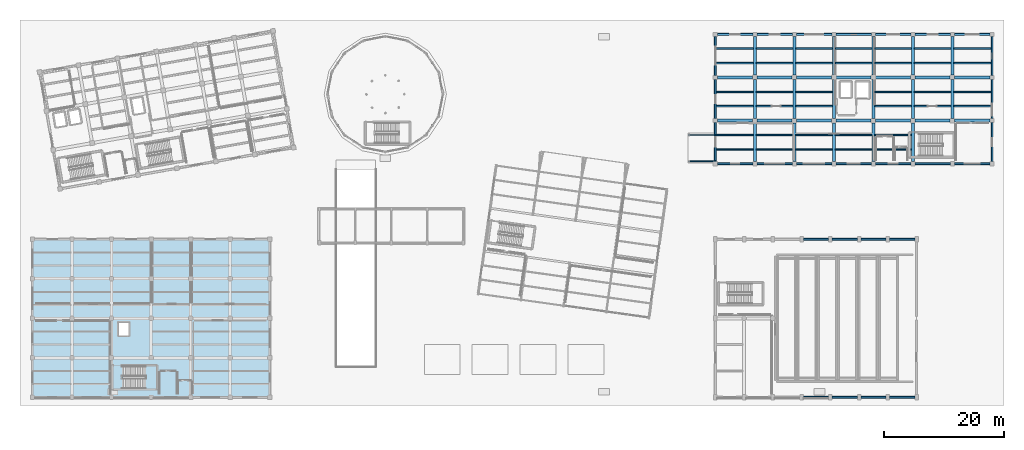
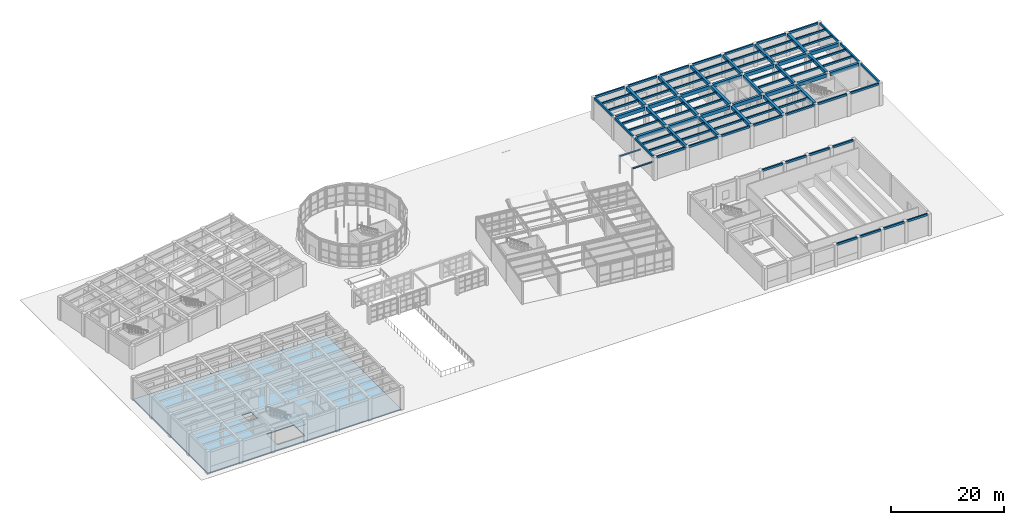
# One storey, part 31 of 57: 97 beams, 2 slabs, 1 element without a shape of its own.
"""IFC4 building model written with IfcOpenShell, lengths in metres."""

from ifc_helpers import new_model, si_unit, direction, frame, origin, origin_2d, place, context, subcontext, project, spatial, polyline, rectangle, i_section, outline, extrude, material, layer, layer_set, material_profile, profile_set, type_object, element, aggregate, save


model = new_model("IFC4")

# Units and contexts
model_context = context("Model", 3, precision=1e-05, world=origin(), true_north=direction((0.0, 1.0)))
body_context = subcontext(model_context, "Body", "Model", "MODEL_VIEW")
ifc_project = project(units=[si_unit("LENGTHUNIT", "METRE"), si_unit("AREAUNIT", "SQUARE_METRE"), si_unit("VOLUMEUNIT", "CUBIC_METRE"), si_unit("PLANEANGLEUNIT", "RADIAN"), si_unit("MASSUNIT", "GRAM", prefix="KILO")], contexts=[model_context])

# Site, building, storey
site_placement = place(None, origin())
site = spatial("IfcSite", under=ifc_project, at=site_placement, CompositionType="ELEMENT")
building_placement = place(site_placement, origin())
building = spatial("IfcBuilding", under=site, at=building_placement, Name="Kharisveld Research Institute", CompositionType="ELEMENT")
storey_placement = place(building_placement, origin())
storey = spatial("IfcBuildingStorey", under=building, at=storey_placement, Name="L00", CompositionType="ELEMENT", Elevation=0.0)

# Beams
ifc_material_1 = material(Name="Concrete C40/50", Category="concrete")
ifc_material_profile_1 = material_profile(ifc_material_1, rectangle(XDim=0.5, YDim=0.64990234375, at=origin_2d()))
ifc_profile_set_1 = profile_set([ifc_material_profile_1], Name="Concrete C40/50")
beam_type_1 = type_object("IfcBeamType", Name="BM_RC_500x650", PredefinedType="BEAM", material=ifc_profile_set_1)
beam_1_placement = place(storey_placement, frame((121.199951171875, 39.550048828125, 4.574951171875), z_axis=(0.0, 1.0, 0.0), x_axis=(-1.0, 0.0, 0.0)))
element("IfcBeam", 1, at=beam_1_placement, inside=storey, type_object=beam_type_1, Name="BM:V2:L00:V1_0", PredefinedType="BEAM", context=body_context, shape_type="SweptSolid", body=[
    extrude(rectangle(XDim=0.5, YDim=0.64990234375, at=origin_2d()), origin(), (0.0, 0.0, 1.0), 6.474853515625),
])
beam_2_placement = place(storey_placement, frame((121.199951171875, 46.77490234375, 4.574951171875), z_axis=(0.0, 1.0, 0.0), x_axis=(-1.0, 0.0, 0.0)))
element("IfcBeam", 2, at=beam_2_placement, inside=storey, type_object=beam_type_1, Name="BM:V2:L00:V1_1", PredefinedType="BEAM", context=body_context, shape_type="SweptSolid", body=[
    extrude(rectangle(XDim=0.5, YDim=0.64990234375, at=origin_2d()), origin(), (0.0, 0.0, 1.0), 6.4501953125),
])
for number, where, z_axis, x_axis, name in (
    (3, (121.199951171875, 53.97509765625, 4.574951171875), (0.0, 1.0, 0.0), (-1.0, 0.0, 0.0), "BM:V2:L00:V1_2"),
    (4, (127.800048828125, 39.550048828125, 4.574951171875), (0.0, 1.0, 0.0), (-1.0, 0.0, 0.0), "BM:V2:L00:V2_0"),
):
    element("IfcBeam", number, at=place(storey_placement, frame(where, z_axis=z_axis, x_axis=x_axis)), inside=storey, type_object=beam_type_1, Name=name, PredefinedType="BEAM", context=body_context, shape_type="SweptSolid", body=[
        extrude(rectangle(XDim=0.5, YDim=0.64990234375, at=origin_2d()), origin(), (0.0, 0.0, 1.0), 6.474853515625),
    ])
beam_3_placement = place(storey_placement, frame((127.800048828125, 46.77490234375, 4.574951171875), z_axis=(0.0, 1.0, 0.0), x_axis=(-1.0, 0.0, 0.0)))
element("IfcBeam", 5, at=beam_3_placement, inside=storey, type_object=beam_type_1, Name="BM:V2:L00:V2_1", PredefinedType="BEAM", context=body_context, shape_type="SweptSolid", body=[
    extrude(rectangle(XDim=0.5, YDim=0.64990234375, at=origin_2d()), origin(), (0.0, 0.0, 1.0), 6.4501953125),
])
for number, where, z_axis, x_axis, name in (
    (6, (127.800048828125, 53.97509765625, 4.574951171875), (0.0, 1.0, 0.0), (-1.0, 0.0, 0.0), "BM:V2:L00:V2_2"),
    (7, (134.39990234375, 39.550048828125, 4.574951171875), (0.0, 1.0, 0.0), (-1.0, 0.0, 0.0), "BM:V2:L00:V3_0"),
):
    element("IfcBeam", number, at=place(storey_placement, frame(where, z_axis=z_axis, x_axis=x_axis)), inside=storey, type_object=beam_type_1, Name=name, PredefinedType="BEAM", context=body_context, shape_type="SweptSolid", body=[
        extrude(rectangle(XDim=0.5, YDim=0.64990234375, at=origin_2d()), origin(), (0.0, 0.0, 1.0), 6.474853515625),
    ])
beam_4_placement = place(storey_placement, frame((134.39990234375, 46.77490234375, 4.574951171875), z_axis=(0.0, 1.0, 0.0), x_axis=(-1.0, 0.0, 0.0)))
element("IfcBeam", 8, at=beam_4_placement, inside=storey, type_object=beam_type_1, Name="BM:V2:L00:V3_1", PredefinedType="BEAM", context=body_context, shape_type="SweptSolid", body=[
    extrude(rectangle(XDim=0.5, YDim=0.64990234375, at=origin_2d()), origin(), (0.0, 0.0, 1.0), 6.4501953125),
])
for number, where, z_axis, x_axis, name in (
    (9, (134.39990234375, 53.97509765625, 4.574951171875), (0.0, 1.0, 0.0), (-1.0, 0.0, 0.0), "BM:V2:L00:V3_2"),
    (10, (141.0, 39.550048828125, 4.574951171875), (0.0, 1.0, 0.0), (-1.0, 0.0, 0.0), "BM:V2:L00:V4_0"),
):
    element("IfcBeam", number, at=place(storey_placement, frame(where, z_axis=z_axis, x_axis=x_axis)), inside=storey, type_object=beam_type_1, Name=name, PredefinedType="BEAM", context=body_context, shape_type="SweptSolid", body=[
        extrude(rectangle(XDim=0.5, YDim=0.64990234375, at=origin_2d()), origin(), (0.0, 0.0, 1.0), 6.474853515625),
    ])
beam_5_placement = place(storey_placement, frame((141.0, 46.77490234375, 4.574951171875), z_axis=(0.0, 1.0, 0.0), x_axis=(-1.0, 0.0, 0.0)))
element("IfcBeam", 11, at=beam_5_placement, inside=storey, type_object=beam_type_1, Name="BM:V2:L00:V4_1", PredefinedType="BEAM", context=body_context, shape_type="SweptSolid", body=[
    extrude(rectangle(XDim=0.5, YDim=0.64990234375, at=origin_2d()), origin(), (0.0, 0.0, 1.0), 6.4501953125),
])
for number, where, z_axis, x_axis, name in (
    (12, (141.0, 53.97509765625, 4.574951171875), (0.0, 1.0, 0.0), (-1.0, 0.0, 0.0), "BM:V2:L00:V4_2"),
    (13, (147.60009765625, 39.550048828125, 4.574951171875), (0.0, 1.0, 0.0), (-1.0, 0.0, 0.0), "BM:V2:L00:V5_0"),
):
    element("IfcBeam", number, at=place(storey_placement, frame(where, z_axis=z_axis, x_axis=x_axis)), inside=storey, type_object=beam_type_1, Name=name, PredefinedType="BEAM", context=body_context, shape_type="SweptSolid", body=[
        extrude(rectangle(XDim=0.5, YDim=0.64990234375, at=origin_2d()), origin(), (0.0, 0.0, 1.0), 6.474853515625),
    ])
beam_6_placement = place(storey_placement, frame((147.60009765625, 46.77490234375, 4.574951171875), z_axis=(0.0, 1.0, 0.0), x_axis=(-1.0, 0.0, 0.0)))
element("IfcBeam", 14, at=beam_6_placement, inside=storey, type_object=beam_type_1, Name="BM:V2:L00:V5_1", PredefinedType="BEAM", context=body_context, shape_type="SweptSolid", body=[
    extrude(rectangle(XDim=0.5, YDim=0.64990234375, at=origin_2d()), origin(), (0.0, 0.0, 1.0), 6.4501953125),
])
beam_7_placement = place(storey_placement, frame((147.60009765625, 53.97509765625, 4.574951171875), z_axis=(0.0, 1.0, 0.0), x_axis=(-1.0, 0.0, 0.0)))
element("IfcBeam", 15, at=beam_7_placement, inside=storey, type_object=beam_type_1, Name="BM:V2:L00:V5_2", PredefinedType="BEAM", context=body_context, shape_type="SweptSolid", body=[
    extrude(rectangle(XDim=0.5, YDim=0.64990234375, at=origin_2d()), origin(), (0.0, 0.0, 1.0), 6.474853515625),
])
beam_8_placement = place(storey_placement, frame((154.199951171875, 46.77490234375, 4.574951171875), z_axis=(0.0, 1.0, 0.0), x_axis=(-1.0, 0.0, 0.0)))
element("IfcBeam", 16, at=beam_8_placement, inside=storey, type_object=beam_type_1, Name="BM:V2:L00:V6_1", PredefinedType="BEAM", context=body_context, shape_type="SweptSolid", body=[
    extrude(rectangle(XDim=0.5, YDim=0.64990234375, at=origin_2d()), origin(), (0.0, 0.0, 1.0), 6.4501953125),
])
beam_9_placement = place(storey_placement, frame((154.199951171875, 53.97509765625, 4.574951171875), z_axis=(0.0, 1.0, 0.0), x_axis=(-1.0, 0.0, 0.0)))
element("IfcBeam", 17, at=beam_9_placement, inside=storey, type_object=beam_type_1, Name="BM:V2:L00:V6_2", PredefinedType="BEAM", context=body_context, shape_type="SweptSolid", body=[
    extrude(rectangle(XDim=0.5, YDim=0.64990234375, at=origin_2d()), origin(), (0.0, 0.0, 1.0), 6.474853515625),
])
ifc_material_2 = material(Name="Concrete C40/50", Category="concrete")
ifc_material_profile_2 = material_profile(ifc_material_2, rectangle(XDim=0.5, YDim=0.75, at=origin_2d()))
ifc_profile_set_2 = profile_set([ifc_material_profile_2], Name="Concrete C40/50")
beam_type_2 = type_object("IfcBeamType", Name="BM_RC_500x750", PredefinedType="BEAM", material=ifc_profile_set_2)
beam_10_placement = place(storey_placement, frame((114.949951171875, 46.39990234375, 4.52490234375), z_axis=(1.0, 0.0, 0.0), x_axis=(0.0, 1.0, 0.0)))
element("IfcBeam", 18, at=beam_10_placement, inside=storey, type_object=beam_type_2, Name="BM:V2:L00:U0_1", PredefinedType="BEAM", context=body_context, shape_type="SweptSolid", body=[
    extrude(rectangle(XDim=0.5, YDim=0.75, at=origin_2d()), origin(), (0.0, 0.0, 1.0), 5.875),
])
beam_11_placement = place(storey_placement, frame((121.574951171875, 46.39990234375, 4.52490234375), z_axis=(1.0, 0.0, 0.0), x_axis=(0.0, 1.0, 0.0)))
element("IfcBeam", 19, at=beam_11_placement, inside=storey, type_object=beam_type_2, Name="BM:V2:L00:U1_1", PredefinedType="BEAM", context=body_context, shape_type="SweptSolid", body=[
    extrude(rectangle(XDim=0.5, YDim=0.75, at=origin_2d()), origin(), (0.0, 0.0, 1.0), 5.85009765625),
])
beam_12_placement = place(storey_placement, frame((128.175048828125, 46.39990234375, 4.52490234375), z_axis=(1.0, 0.0, 0.0), x_axis=(0.0, 1.0, 0.0)))
element("IfcBeam", 20, at=beam_12_placement, inside=storey, type_object=beam_type_2, Name="BM:V2:L00:U2_1", PredefinedType="BEAM", context=body_context, shape_type="SweptSolid", body=[
    extrude(rectangle(XDim=0.5, YDim=0.75, at=origin_2d()), origin(), (0.0, 0.0, 1.0), 5.849853515625),
])
for number, where, z_axis, x_axis, name in (
    (21, (134.77490234375, 46.39990234375, 4.52490234375), (1.0, 0.0, 0.0), (0.0, 1.0, 0.0), "BM:V2:L00:U3_1"),
    (22, (141.375, 46.39990234375, 4.52490234375), (1.0, 0.0, 0.0), (0.0, 1.0, 0.0), "BM:V2:L00:U4_1"),
):
    element("IfcBeam", number, at=place(storey_placement, frame(where, z_axis=z_axis, x_axis=x_axis)), inside=storey, type_object=beam_type_2, Name=name, PredefinedType="BEAM", context=body_context, shape_type="SweptSolid", body=[
        extrude(rectangle(XDim=0.5, YDim=0.75, at=origin_2d()), origin(), (0.0, 0.0, 1.0), 5.85009765625),
    ])
beam_13_placement = place(storey_placement, frame((147.97509765625, 46.39990234375, 4.52490234375), z_axis=(1.0, 0.0, 0.0), x_axis=(0.0, 1.0, 0.0)))
element("IfcBeam", 23, at=beam_13_placement, inside=storey, type_object=beam_type_2, Name="BM:V2:L00:U5_1", PredefinedType="BEAM", context=body_context, shape_type="SweptSolid", body=[
    extrude(rectangle(XDim=0.5, YDim=0.75, at=origin_2d()), origin(), (0.0, 0.0, 1.0), 5.849853515625),
])
for number, where, z_axis, x_axis, name in (
    (24, (154.574951171875, 46.39990234375, 4.52490234375), (1.0, 0.0, 0.0), (0.0, 1.0, 0.0), "BM:V2:L00:U6_1"),
    (25, (114.949951171875, 53.60009765625, 4.52490234375), (1.0, 0.0, 0.0), (0.0, 1.0, 0.0), "BM:V2:L00:U0_2"),
):
    element("IfcBeam", number, at=place(storey_placement, frame(where, z_axis=z_axis, x_axis=x_axis)), inside=storey, type_object=beam_type_2, Name=name, PredefinedType="BEAM", context=body_context, shape_type="SweptSolid", body=[
        extrude(rectangle(XDim=0.5, YDim=0.75, at=origin_2d()), origin(), (0.0, 0.0, 1.0), 5.875),
    ])
beam_14_placement = place(storey_placement, frame((121.574951171875, 53.60009765625, 4.52490234375), z_axis=(1.0, 0.0, 0.0), x_axis=(0.0, 1.0, 0.0)))
element("IfcBeam", 26, at=beam_14_placement, inside=storey, type_object=beam_type_2, Name="BM:V2:L00:U1_2", PredefinedType="BEAM", context=body_context, shape_type="SweptSolid", body=[
    extrude(rectangle(XDim=0.5, YDim=0.75, at=origin_2d()), origin(), (0.0, 0.0, 1.0), 5.85009765625),
])
beam_15_placement = place(storey_placement, frame((128.175048828125, 53.60009765625, 4.52490234375), z_axis=(1.0, 0.0, 0.0), x_axis=(0.0, 1.0, 0.0)))
element("IfcBeam", 27, at=beam_15_placement, inside=storey, type_object=beam_type_2, Name="BM:V2:L00:U2_2", PredefinedType="BEAM", context=body_context, shape_type="SweptSolid", body=[
    extrude(rectangle(XDim=0.5, YDim=0.75, at=origin_2d()), origin(), (0.0, 0.0, 1.0), 5.849853515625),
])
for number, where, z_axis, x_axis, name in (
    (28, (134.77490234375, 53.60009765625, 4.52490234375), (1.0, 0.0, 0.0), (0.0, 1.0, 0.0), "BM:V2:L00:U3_2"),
    (29, (141.375, 53.60009765625, 4.52490234375), (1.0, 0.0, 0.0), (0.0, 1.0, 0.0), "BM:V2:L00:U4_2"),
):
    element("IfcBeam", number, at=place(storey_placement, frame(where, z_axis=z_axis, x_axis=x_axis)), inside=storey, type_object=beam_type_2, Name=name, PredefinedType="BEAM", context=body_context, shape_type="SweptSolid", body=[
        extrude(rectangle(XDim=0.5, YDim=0.75, at=origin_2d()), origin(), (0.0, 0.0, 1.0), 5.85009765625),
    ])
beam_16_placement = place(storey_placement, frame((147.97509765625, 53.60009765625, 4.52490234375), z_axis=(1.0, 0.0, 0.0), x_axis=(0.0, 1.0, 0.0)))
element("IfcBeam", 30, at=beam_16_placement, inside=storey, type_object=beam_type_2, Name="BM:V2:L00:U5_2", PredefinedType="BEAM", context=body_context, shape_type="SweptSolid", body=[
    extrude(rectangle(XDim=0.5, YDim=0.75, at=origin_2d()), origin(), (0.0, 0.0, 1.0), 5.849853515625),
])
beam_17_placement = place(storey_placement, frame((154.574951171875, 53.60009765625, 4.52490234375), z_axis=(1.0, 0.0, 0.0), x_axis=(0.0, 1.0, 0.0)))
element("IfcBeam", 31, at=beam_17_placement, inside=storey, type_object=beam_type_2, Name="BM:V2:L00:U6_2", PredefinedType="BEAM", context=body_context, shape_type="SweptSolid", body=[
    extrude(rectangle(XDim=0.5, YDim=0.75, at=origin_2d()), origin(), (0.0, 0.0, 1.0), 5.875),
])
ifc_material_3 = material(Name="Steel S355JR", Category="steel")
ifc_material_profile_3 = material_profile(ifc_material_3, i_section(OverallWidth=0.14990234375, OverallDepth=0.300048828125, WebThickness=0.007080078125, FlangeThickness=0.0107421875, at=origin_2d()))
ifc_profile_set_3 = profile_set([ifc_material_profile_3], Name="Steel S355JR")
beam_type_3 = type_object("IfcBeamType", Name="BM_ST_IPE300", PredefinedType="BEAM", material=ifc_profile_set_3)
for number, where, z_axis, x_axis, name in (
    (32, (110.199951171875, 39.60009765625, 3.64990234375), (1.0, 0.0, 0.0), (0.0, 1.0, 0.0), "BM:ARC_E:L00:1"),
    (33, (110.199951171875, 44.0, 3.64990234375), (1.0, 0.0, 0.0), (0.0, 1.0, 0.0), "BM:ARC_E:L00:2"),
):
    element("IfcBeam", number, at=place(storey_placement, frame(where, z_axis=z_axis, x_axis=x_axis)), inside=storey, type_object=beam_type_3, Name=name, PredefinedType="BEAM", context=body_context, shape_type="SweptSolid", body=[
        extrude(i_section(OverallWidth=0.14990234375, OverallDepth=0.300048828125, WebThickness=0.007080078125, FlangeThickness=0.0107421875, at=origin_2d()), origin(), (0.0, 0.0, 1.0), 4.400146484375),
    ])
ifc_material_4 = material(Name="Concrete C40/50", Category="concrete")
ifc_material_profile_4 = material_profile(ifc_material_4, rectangle(XDim=0.300048828125, YDim=0.449951171875, at=origin_2d()))
ifc_profile_set_4 = profile_set([ifc_material_profile_4], Name="Concrete C40/50")
beam_type_4 = type_object("IfcBeamType", Name="SP_RC_300x450", PredefinedType="SPANDREL", material=ifc_profile_set_4)
beam_18_placement = place(storey_placement, frame((114.949951171875, 39.199951171875, 4.675048828125), z_axis=(1.0, 0.0, 0.0), x_axis=(0.0, 1.0, 0.0)))
element("IfcBeam", 34, at=beam_18_placement, inside=storey, type_object=beam_type_4, Name="BM:V2:L00:U0_0", PredefinedType="SPANDREL", context=body_context, shape_type="SweptSolid", body=[
    extrude(rectangle(XDim=0.300048828125, YDim=0.449951171875, at=origin_2d()), origin(), (0.0, 0.0, 1.0), 5.900146484375),
])
beam_19_placement = place(storey_placement, frame((121.550048828125, 39.199951171875, 4.675048828125), z_axis=(1.0, 0.0, 0.0), x_axis=(0.0, 1.0, 0.0)))
element("IfcBeam", 35, at=beam_19_placement, inside=storey, type_object=beam_type_4, Name="BM:V2:L00:U1_0", PredefinedType="SPANDREL", context=body_context, shape_type="SweptSolid", body=[
    extrude(rectangle(XDim=0.300048828125, YDim=0.449951171875, at=origin_2d()), origin(), (0.0, 0.0, 1.0), 5.89990234375),
])
beam_20_placement = place(storey_placement, frame((128.14990234375, 39.199951171875, 4.675048828125), z_axis=(1.0, 0.0, 0.0), x_axis=(0.0, 1.0, 0.0)))
element("IfcBeam", 36, at=beam_20_placement, inside=storey, type_object=beam_type_4, Name="BM:V2:L00:U2_0", PredefinedType="SPANDREL", context=body_context, shape_type="SweptSolid", body=[
    extrude(rectangle(XDim=0.300048828125, YDim=0.449951171875, at=origin_2d()), origin(), (0.0, 0.0, 1.0), 5.900146484375),
])
for number, where, z_axis, x_axis, name in (
    (37, (134.75, 39.199951171875, 4.675048828125), (1.0, 0.0, 0.0), (0.0, 1.0, 0.0), "BM:V2:L00:U3_0"),
    (38, (141.35009765625, 39.199951171875, 4.675048828125), (1.0, 0.0, 0.0), (0.0, 1.0, 0.0), "BM:V2:L00:U4_0"),
):
    element("IfcBeam", number, at=place(storey_placement, frame(where, z_axis=z_axis, x_axis=x_axis)), inside=storey, type_object=beam_type_4, Name=name, PredefinedType="SPANDREL", context=body_context, shape_type="SweptSolid", body=[
        extrude(rectangle(XDim=0.300048828125, YDim=0.449951171875, at=origin_2d()), origin(), (0.0, 0.0, 1.0), 5.89990234375),
    ])
beam_21_placement = place(storey_placement, frame((147.949951171875, 39.199951171875, 4.675048828125), z_axis=(1.0, 0.0, 0.0), x_axis=(0.0, 1.0, 0.0)))
element("IfcBeam", 39, at=beam_21_placement, inside=storey, type_object=beam_type_4, Name="BM:V2:L00:U5_0", PredefinedType="SPANDREL", context=body_context, shape_type="SweptSolid", body=[
    extrude(rectangle(XDim=0.300048828125, YDim=0.449951171875, at=origin_2d()), origin(), (0.0, 0.0, 1.0), 5.900146484375),
])
beam_22_placement = place(storey_placement, frame((154.550048828125, 39.199951171875, 4.675048828125), z_axis=(1.0, 0.0, 0.0), x_axis=(0.0, 1.0, 0.0)))
element("IfcBeam", 40, at=beam_22_placement, inside=storey, type_object=beam_type_4, Name="BM:V2:L00:U6_0", PredefinedType="SPANDREL", context=body_context, shape_type="SweptSolid", body=[
    extrude(rectangle(XDim=0.300048828125, YDim=0.449951171875, at=origin_2d()), origin(), (0.0, 0.0, 1.0), 5.89990234375),
])
beam_23_placement = place(storey_placement, frame((114.949951171875, 60.800048828125, 4.675048828125), z_axis=(1.0, 0.0, 0.0), x_axis=(0.0, 1.0, 0.0)))
element("IfcBeam", 41, at=beam_23_placement, inside=storey, type_object=beam_type_4, Name="BM:V2:L00:U0_3", PredefinedType="SPANDREL", context=body_context, shape_type="SweptSolid", body=[
    extrude(rectangle(XDim=0.300048828125, YDim=0.449951171875, at=origin_2d()), origin(), (0.0, 0.0, 1.0), 5.900146484375),
])
beam_24_placement = place(storey_placement, frame((121.550048828125, 60.800048828125, 4.675048828125), z_axis=(1.0, 0.0, 0.0), x_axis=(0.0, 1.0, 0.0)))
element("IfcBeam", 42, at=beam_24_placement, inside=storey, type_object=beam_type_4, Name="BM:V2:L00:U1_3", PredefinedType="SPANDREL", context=body_context, shape_type="SweptSolid", body=[
    extrude(rectangle(XDim=0.300048828125, YDim=0.449951171875, at=origin_2d()), origin(), (0.0, 0.0, 1.0), 5.89990234375),
])
beam_25_placement = place(storey_placement, frame((128.14990234375, 60.800048828125, 4.675048828125), z_axis=(1.0, 0.0, 0.0), x_axis=(0.0, 1.0, 0.0)))
element("IfcBeam", 43, at=beam_25_placement, inside=storey, type_object=beam_type_4, Name="BM:V2:L00:U2_3", PredefinedType="SPANDREL", context=body_context, shape_type="SweptSolid", body=[
    extrude(rectangle(XDim=0.300048828125, YDim=0.449951171875, at=origin_2d()), origin(), (0.0, 0.0, 1.0), 5.900146484375),
])
for number, where, z_axis, x_axis, name in (
    (44, (134.75, 60.800048828125, 4.675048828125), (1.0, 0.0, 0.0), (0.0, 1.0, 0.0), "BM:V2:L00:U3_3"),
    (45, (141.35009765625, 60.800048828125, 4.675048828125), (1.0, 0.0, 0.0), (0.0, 1.0, 0.0), "BM:V2:L00:U4_3"),
):
    element("IfcBeam", number, at=place(storey_placement, frame(where, z_axis=z_axis, x_axis=x_axis)), inside=storey, type_object=beam_type_4, Name=name, PredefinedType="SPANDREL", context=body_context, shape_type="SweptSolid", body=[
        extrude(rectangle(XDim=0.300048828125, YDim=0.449951171875, at=origin_2d()), origin(), (0.0, 0.0, 1.0), 5.89990234375),
    ])
beam_26_placement = place(storey_placement, frame((147.949951171875, 60.800048828125, 4.675048828125), z_axis=(1.0, 0.0, 0.0), x_axis=(0.0, 1.0, 0.0)))
element("IfcBeam", 46, at=beam_26_placement, inside=storey, type_object=beam_type_4, Name="BM:V2:L00:U5_3", PredefinedType="SPANDREL", context=body_context, shape_type="SweptSolid", body=[
    extrude(rectangle(XDim=0.300048828125, YDim=0.449951171875, at=origin_2d()), origin(), (0.0, 0.0, 1.0), 5.900146484375),
])
beam_27_placement = place(storey_placement, frame((154.550048828125, 60.800048828125, 4.675048828125), z_axis=(1.0, 0.0, 0.0), x_axis=(0.0, 1.0, 0.0)))
element("IfcBeam", 47, at=beam_27_placement, inside=storey, type_object=beam_type_4, Name="BM:V2:L00:U6_3", PredefinedType="SPANDREL", context=body_context, shape_type="SweptSolid", body=[
    extrude(rectangle(XDim=0.300048828125, YDim=0.449951171875, at=origin_2d()), origin(), (0.0, 0.0, 1.0), 5.89990234375),
])
for number, where, z_axis, x_axis, name in (
    (48, (114.60009765625, 39.550048828125, 4.675048828125), (0.0, 1.0, 0.0), (-1.0, 0.0, 0.0), "BM:V2:L00:V0_0"),
    (49, (114.60009765625, 46.75, 4.675048828125), (0.0, 1.0, 0.0), (-1.0, 0.0, 0.0), "BM:V2:L00:V0_1"),
    (50, (114.60009765625, 53.949951171875, 4.675048828125), (0.0, 1.0, 0.0), (-1.0, 0.0, 0.0), "BM:V2:L00:V0_2"),
    (51, (160.800048828125, 39.550048828125, 4.675048828125), (0.0, 1.0, 0.0), (-1.0, 0.0, 0.0), "BM:V2:L00:V7_0"),
    (52, (160.800048828125, 46.75, 4.675048828125), (0.0, 1.0, 0.0), (-1.0, 0.0, 0.0), "BM:V2:L00:V7_1"),
    (53, (160.800048828125, 53.949951171875, 4.675048828125), (0.0, 1.0, 0.0), (-1.0, 0.0, 0.0), "BM:V2:L00:V7_2"),
):
    element("IfcBeam", number, at=place(storey_placement, frame(where, z_axis=z_axis, x_axis=x_axis)), inside=storey, type_object=beam_type_4, Name=name, PredefinedType="SPANDREL", context=body_context, shape_type="SweptSolid", body=[
        extrude(rectangle(XDim=0.300048828125, YDim=0.449951171875, at=origin_2d()), origin(), (0.0, 0.0, 1.0), 6.5),
    ])
for number, where, z_axis, x_axis, name in (
    (54, (129.300048828125, 0.199951171875, 4.455078125), (1.0, 0.0, 0.0), (0.0, 1.0, 0.0), "BM:V5:L00:U3_0"),
    (55, (134.10009765625, 0.199951171875, 4.455078125), (1.0, 0.0, 0.0), (0.0, 1.0, 0.0), "BM:V5:L00:U4_0"),
):
    element("IfcBeam", number, at=place(storey_placement, frame(where, z_axis=z_axis, x_axis=x_axis)), inside=storey, type_object=beam_type_4, Name=name, PredefinedType="SPANDREL", context=body_context, shape_type="SweptSolid", body=[
        extrude(rectangle(XDim=0.300048828125, YDim=0.449951171875, at=origin_2d()), origin(), (0.0, 0.0, 1.0), 4.199951171875),
    ])
beam_28_placement = place(storey_placement, frame((138.89990234375, 0.199951171875, 4.455078125), z_axis=(1.0, 0.0, 0.0), x_axis=(0.0, 1.0, 0.0)))
element("IfcBeam", 56, at=beam_28_placement, inside=storey, type_object=beam_type_4, Name="BM:V5:L00:U5_0", PredefinedType="SPANDREL", context=body_context, shape_type="SweptSolid", body=[
    extrude(rectangle(XDim=0.300048828125, YDim=0.449951171875, at=origin_2d()), origin(), (0.0, 0.0, 1.0), 4.2001953125),
])
for number, where, z_axis, x_axis, name in (
    (57, (143.699951171875, 0.199951171875, 4.455078125), (1.0, 0.0, 0.0), (0.0, 1.0, 0.0), "BM:V5:L00:U6_0"),
    (58, (129.300048828125, 26.60009765625, 4.455078125), (1.0, 0.0, 0.0), (0.0, 1.0, 0.0), "BM:V5:L00:U3_2"),
    (59, (134.10009765625, 26.60009765625, 4.455078125), (1.0, 0.0, 0.0), (0.0, 1.0, 0.0), "BM:V5:L00:U4_2"),
):
    element("IfcBeam", number, at=place(storey_placement, frame(where, z_axis=z_axis, x_axis=x_axis)), inside=storey, type_object=beam_type_4, Name=name, PredefinedType="SPANDREL", context=body_context, shape_type="SweptSolid", body=[
        extrude(rectangle(XDim=0.300048828125, YDim=0.449951171875, at=origin_2d()), origin(), (0.0, 0.0, 1.0), 4.199951171875),
    ])
beam_29_placement = place(storey_placement, frame((138.89990234375, 26.60009765625, 4.455078125), z_axis=(1.0, 0.0, 0.0), x_axis=(0.0, 1.0, 0.0)))
element("IfcBeam", 60, at=beam_29_placement, inside=storey, type_object=beam_type_4, Name="BM:V5:L00:U5_2", PredefinedType="SPANDREL", context=body_context, shape_type="SweptSolid", body=[
    extrude(rectangle(XDim=0.300048828125, YDim=0.449951171875, at=origin_2d()), origin(), (0.0, 0.0, 1.0), 4.2001953125),
])
beam_30_placement = place(storey_placement, frame((143.699951171875, 26.60009765625, 4.455078125), z_axis=(1.0, 0.0, 0.0), x_axis=(0.0, 1.0, 0.0)))
element("IfcBeam", 61, at=beam_30_placement, inside=storey, type_object=beam_type_4, Name="BM:V5:L00:U6_2", PredefinedType="SPANDREL", context=body_context, shape_type="SweptSolid", body=[
    extrude(rectangle(XDim=0.300048828125, YDim=0.449951171875, at=origin_2d()), origin(), (0.0, 0.0, 1.0), 4.199951171875),
])
ifc_material_5 = material(Name="Concrete C40/50", Category="concrete")
ifc_material_profile_5 = material_profile(ifc_material_5, rectangle(XDim=0.25, YDim=0.39990234375, at=origin_2d()))
ifc_profile_set_5 = profile_set([ifc_material_profile_5], Name="Concrete C40/50")
beam_type_5 = type_object("IfcBeamType", Name="WB_RC_250x400", PredefinedType="JOIST", material=ifc_profile_set_5)
for number, where, z_axis, x_axis, name in (
    (62, (114.75, 41.60009765625, 4.699951171875), (1.0, 0.0, 0.0), (0.0, 1.0, 0.0), "BM:V2:L00:J_0_0_R1"),
    (63, (114.75, 44.0, 4.699951171875), (1.0, 0.0, 0.0), (0.0, 1.0, 0.0), "BM:V2:L00:J_0_0_R2"),
    (64, (114.75, 48.800048828125, 4.699951171875), (1.0, 0.0, 0.0), (0.0, 1.0, 0.0), "BM:V2:L00:J_0_1_R1"),
    (65, (114.75, 51.199951171875, 4.699951171875), (1.0, 0.0, 0.0), (0.0, 1.0, 0.0), "BM:V2:L00:J_0_1_R2"),
    (66, (114.75, 56.0, 4.699951171875), (1.0, 0.0, 0.0), (0.0, 1.0, 0.0), "BM:V2:L00:J_0_2_R1"),
    (67, (114.75, 58.39990234375, 4.699951171875), (1.0, 0.0, 0.0), (0.0, 1.0, 0.0), "BM:V2:L00:J_0_2_R2"),
):
    element("IfcBeam", number, at=place(storey_placement, frame(where, z_axis=z_axis, x_axis=x_axis)), inside=storey, type_object=beam_type_5, Name=name, PredefinedType="JOIST", context=body_context, shape_type="SweptSolid", body=[
        extrude(rectangle(XDim=0.25, YDim=0.39990234375, at=origin_2d()), origin(), (0.0, 0.0, 1.0), 6.199951171875),
    ])
for number, where, z_axis, x_axis, name in (
    (68, (121.449951171875, 41.60009765625, 4.699951171875), (1.0, 0.0, 0.0), (0.0, 1.0, 0.0), "BM:V2:L00:J_1_0_R1"),
    (69, (121.449951171875, 44.0, 4.699951171875), (1.0, 0.0, 0.0), (0.0, 1.0, 0.0), "BM:V2:L00:J_1_0_R2"),
    (70, (121.449951171875, 48.800048828125, 4.699951171875), (1.0, 0.0, 0.0), (0.0, 1.0, 0.0), "BM:V2:L00:J_1_1_R1"),
    (71, (121.449951171875, 51.199951171875, 4.699951171875), (1.0, 0.0, 0.0), (0.0, 1.0, 0.0), "BM:V2:L00:J_1_1_R2"),
    (72, (121.449951171875, 56.0, 4.699951171875), (1.0, 0.0, 0.0), (0.0, 1.0, 0.0), "BM:V2:L00:J_1_2_R1"),
    (73, (121.449951171875, 58.39990234375, 4.699951171875), (1.0, 0.0, 0.0), (0.0, 1.0, 0.0), "BM:V2:L00:J_1_2_R2"),
):
    element("IfcBeam", number, at=place(storey_placement, frame(where, z_axis=z_axis, x_axis=x_axis)), inside=storey, type_object=beam_type_5, Name=name, PredefinedType="JOIST", context=body_context, shape_type="SweptSolid", body=[
        extrude(rectangle(XDim=0.25, YDim=0.39990234375, at=origin_2d()), origin(), (0.0, 0.0, 1.0), 6.10009765625),
    ])
for number, where, z_axis, x_axis, name in (
    (74, (128.050048828125, 41.60009765625, 4.699951171875), (1.0, 0.0, 0.0), (0.0, 1.0, 0.0), "BM:V2:L00:J_2_0_R1"),
    (75, (128.050048828125, 44.0, 4.699951171875), (1.0, 0.0, 0.0), (0.0, 1.0, 0.0), "BM:V2:L00:J_2_0_R2"),
    (76, (128.050048828125, 48.800048828125, 4.699951171875), (1.0, 0.0, 0.0), (0.0, 1.0, 0.0), "BM:V2:L00:J_2_1_R1"),
    (77, (128.050048828125, 51.199951171875, 4.699951171875), (1.0, 0.0, 0.0), (0.0, 1.0, 0.0), "BM:V2:L00:J_2_1_R2"),
    (78, (128.050048828125, 56.0, 4.699951171875), (1.0, 0.0, 0.0), (0.0, 1.0, 0.0), "BM:V2:L00:J_2_2_R1"),
    (79, (128.050048828125, 58.39990234375, 4.699951171875), (1.0, 0.0, 0.0), (0.0, 1.0, 0.0), "BM:V2:L00:J_2_2_R2"),
):
    element("IfcBeam", number, at=place(storey_placement, frame(where, z_axis=z_axis, x_axis=x_axis)), inside=storey, type_object=beam_type_5, Name=name, PredefinedType="JOIST", context=body_context, shape_type="SweptSolid", body=[
        extrude(rectangle(XDim=0.25, YDim=0.39990234375, at=origin_2d()), origin(), (0.0, 0.0, 1.0), 6.099853515625),
    ])
for number, where, z_axis, x_axis, name in (
    (80, (134.64990234375, 41.60009765625, 4.699951171875), (1.0, 0.0, 0.0), (0.0, 1.0, 0.0), "BM:V2:L00:J_3_0_R1"),
    (81, (134.64990234375, 44.0, 4.699951171875), (1.0, 0.0, 0.0), (0.0, 1.0, 0.0), "BM:V2:L00:J_3_0_R2"),
    (82, (134.64990234375, 56.0, 4.699951171875), (1.0, 0.0, 0.0), (0.0, 1.0, 0.0), "BM:V2:L00:J_3_2_R1"),
    (83, (134.64990234375, 58.39990234375, 4.699951171875), (1.0, 0.0, 0.0), (0.0, 1.0, 0.0), "BM:V2:L00:J_3_2_R2"),
    (84, (141.25, 41.60009765625, 4.699951171875), (1.0, 0.0, 0.0), (0.0, 1.0, 0.0), "BM:V2:L00:J_4_0_R1"),
    (85, (141.25, 44.0, 4.699951171875), (1.0, 0.0, 0.0), (0.0, 1.0, 0.0), "BM:V2:L00:J_4_0_R2"),
    (86, (141.25, 48.800048828125, 4.699951171875), (1.0, 0.0, 0.0), (0.0, 1.0, 0.0), "BM:V2:L00:J_4_1_R1"),
    (87, (141.25, 51.199951171875, 4.699951171875), (1.0, 0.0, 0.0), (0.0, 1.0, 0.0), "BM:V2:L00:J_4_1_R2"),
    (88, (141.25, 56.0, 4.699951171875), (1.0, 0.0, 0.0), (0.0, 1.0, 0.0), "BM:V2:L00:J_4_2_R1"),
    (89, (141.25, 58.39990234375, 4.699951171875), (1.0, 0.0, 0.0), (0.0, 1.0, 0.0), "BM:V2:L00:J_4_2_R2"),
):
    element("IfcBeam", number, at=place(storey_placement, frame(where, z_axis=z_axis, x_axis=x_axis)), inside=storey, type_object=beam_type_5, Name=name, PredefinedType="JOIST", context=body_context, shape_type="SweptSolid", body=[
        extrude(rectangle(XDim=0.25, YDim=0.39990234375, at=origin_2d()), origin(), (0.0, 0.0, 1.0), 6.10009765625),
    ])
for number, where, z_axis, x_axis, name in (
    (90, (147.85009765625, 48.800048828125, 4.699951171875), (1.0, 0.0, 0.0), (0.0, 1.0, 0.0), "BM:V2:L00:J_5_1_R1"),
    (91, (147.85009765625, 51.199951171875, 4.699951171875), (1.0, 0.0, 0.0), (0.0, 1.0, 0.0), "BM:V2:L00:J_5_1_R2"),
    (92, (147.85009765625, 56.0, 4.699951171875), (1.0, 0.0, 0.0), (0.0, 1.0, 0.0), "BM:V2:L00:J_5_2_R1"),
    (93, (147.85009765625, 58.39990234375, 4.699951171875), (1.0, 0.0, 0.0), (0.0, 1.0, 0.0), "BM:V2:L00:J_5_2_R2"),
):
    element("IfcBeam", number, at=place(storey_placement, frame(where, z_axis=z_axis, x_axis=x_axis)), inside=storey, type_object=beam_type_5, Name=name, PredefinedType="JOIST", context=body_context, shape_type="SweptSolid", body=[
        extrude(rectangle(XDim=0.25, YDim=0.39990234375, at=origin_2d()), origin(), (0.0, 0.0, 1.0), 6.099853515625),
    ])
for number, where, z_axis, x_axis, name in (
    (94, (154.449951171875, 48.800048828125, 4.699951171875), (1.0, 0.0, 0.0), (0.0, 1.0, 0.0), "BM:V2:L00:J_6_1_R1"),
    (95, (154.449951171875, 51.199951171875, 4.699951171875), (1.0, 0.0, 0.0), (0.0, 1.0, 0.0), "BM:V2:L00:J_6_1_R2"),
    (96, (154.449951171875, 56.0, 4.699951171875), (1.0, 0.0, 0.0), (0.0, 1.0, 0.0), "BM:V2:L00:J_6_2_R1"),
    (97, (154.449951171875, 58.39990234375, 4.699951171875), (1.0, 0.0, 0.0), (0.0, 1.0, 0.0), "BM:V2:L00:J_6_2_R2"),
):
    element("IfcBeam", number, at=place(storey_placement, frame(where, z_axis=z_axis, x_axis=x_axis)), inside=storey, type_object=beam_type_5, Name=name, PredefinedType="JOIST", context=body_context, shape_type="SweptSolid", body=[
        extrude(rectangle(XDim=0.25, YDim=0.39990234375, at=origin_2d()), origin(), (0.0, 0.0, 1.0), 6.199951171875),
    ])

# Slab
ifc_material_6 = material(Name="Concrete C40/50", Category="concrete")
ifc_layer_1 = layer(ifc_material_6, 0.199951171875)
ifc_layer_set_1 = layer_set([ifc_layer_1], Name="SL_FLR_200")
slab_type_1 = type_object("IfcSlabType", Name="SL_FLR_200", PredefinedType="FLOOR", material=ifc_layer_set_1)
slab_1_placement = place(storey_placement, frame((0.0, 0.0, -0.199951171875)))
element("IfcSlab", 98, at=slab_1_placement, inside=storey, type_object=slab_type_1, Name="SLAB:V3:L00:MAIN", PredefinedType="FLOOR", context=body_context, shape_type="SweptSolid", body=[
    extrude(outline(polyline([(0.60009765625, 0.199951171875), (40.199951171875, 0.199951171875), (40.199951171875, 26.60009765625), (0.60009765625, 26.60009765625), (0.60009765625, 0.199951171875)]), holes=[polyline([(21.300048828125, 5.4599609375), (21.300048828125, 1.60009765625), (15.699951171875, 1.60009765625), (15.699951171875, 5.4599609375), (21.300048828125, 5.4599609375)]), polyline([(16.719970703125, 12.77001953125), (16.719970703125, 10.429931640625), (14.8798828125, 10.429931640625), (14.8798828125, 12.77001953125), (16.719970703125, 12.77001953125)])]), origin(), (0.0, 0.0, 1.0), 0.199951171875),
])

# Stair, slab
ifc_material_7 = material(Name="Concrete C40/50", Category="concrete")
stair_type = type_object("IfcStairType", Name="ST_EXIT_170", PredefinedType="TWO_STRAIGHT_RUN_STAIR", material=ifc_material_7)
stair_placement = place(storey_placement, origin())
stair = element("IfcStair", 99, at=stair_placement, inside=storey, type_object=stair_type, Name="STR:ST4:L00", PredefinedType="TWO_STRAIGHT_RUN_STAIR")
ifc_material_8 = material(Name="Concrete C40/50", Category="concrete")
ifc_layer_2 = layer(ifc_material_8, 0.179931640625)
ifc_layer_set_2 = layer_set([ifc_layer_2], Name="SL_LND_180")
slab_type_2 = type_object("IfcSlabType", Name="SL_LND_180", PredefinedType="LANDING", material=ifc_layer_set_2)
slab_2_placement = place(storey_placement, frame((0.0, 0.0, 2.3701171875)))
slab_2 = element("IfcSlab", 100, at=slab_2_placement, type_object=slab_type_2, Name="ST-04 landing 1", PredefinedType="LANDING", context=body_context, shape_type="SweptSolid", body=[
    extrude(outline(polyline([(19.330078125, 1.469970703125), (21.449951171875, 1.469970703125), (21.449951171875, 5.590087890625), (19.330078125, 5.590087890625), (19.330078125, 1.469970703125)])), origin(), (0.0, 0.0, 1.0), 0.179931640625),
])
aggregate(stair, [slab_2])

save(model, "model.ifc")
